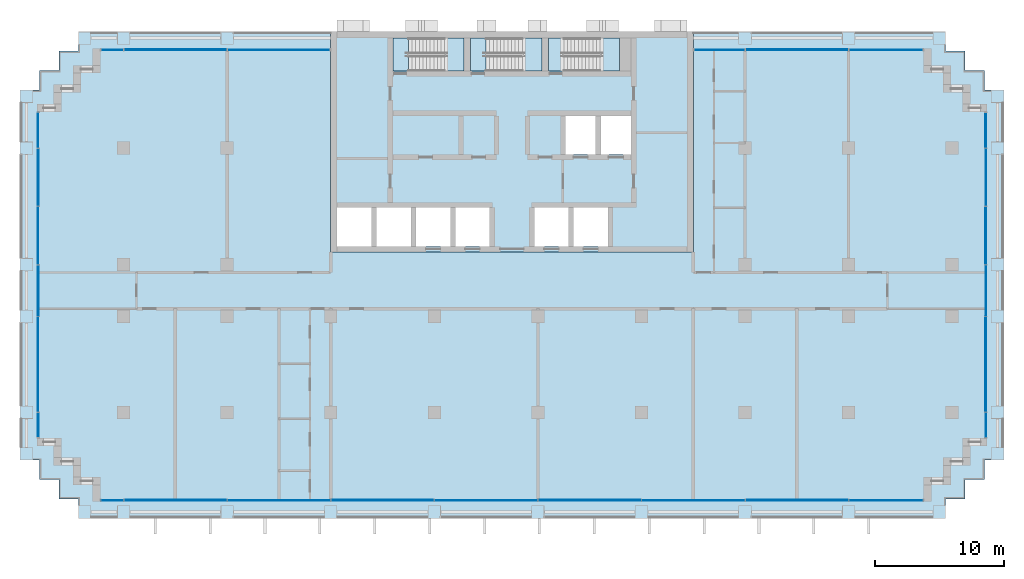
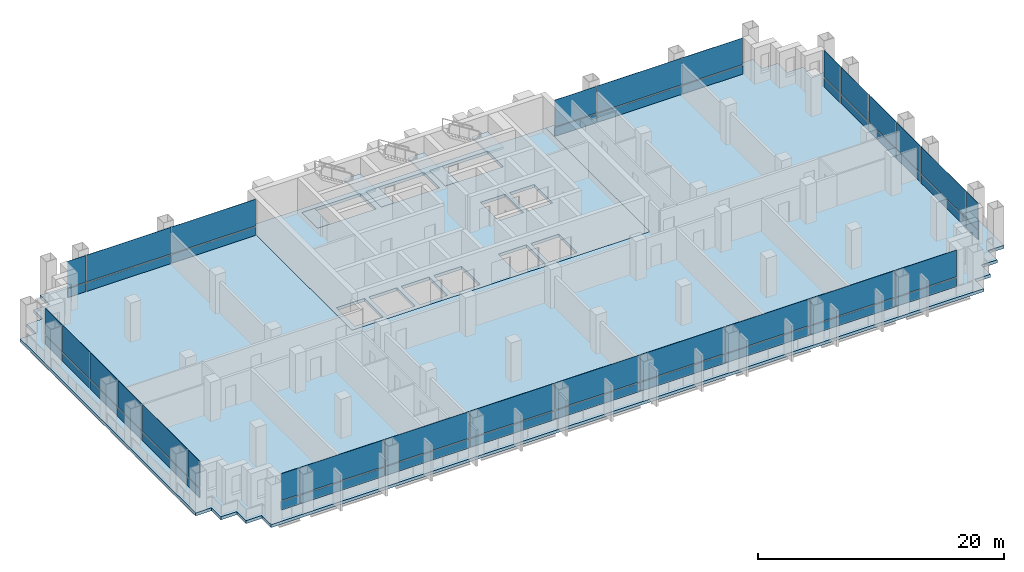
# One storey, part 6 of 13: 54 plates, 8 slabs, 8 elements without a shape of their own.
"""IFC4 building model written with IfcOpenShell, lengths in metres."""

from ifc_helpers import new_model, si_unit, direction, frame, origin, origin_2d, place, context, subcontext, project, spatial, polyline, rectangle, outline, extrude, material, layer, layer_set, type_object, element, aggregate, save


model = new_model("IFC4")

# Units and contexts
model_context = context("Model", 3, precision=1e-05, world=origin(), true_north=direction((0.0, 1.0)))
body_context = subcontext(model_context, "Body", "Model", "MODEL_VIEW")
ifc_project = project(units=[si_unit("LENGTHUNIT", "METRE"), si_unit("AREAUNIT", "SQUARE_METRE"), si_unit("VOLUMEUNIT", "CUBIC_METRE"), si_unit("PLANEANGLEUNIT", "RADIAN"), si_unit("MASSUNIT", "GRAM", prefix="KILO")], contexts=[model_context])

# Site, building, storey
site_placement = place(None, origin())
site = spatial("IfcSite", under=ifc_project, at=site_placement, CompositionType="ELEMENT")
building_placement = place(site_placement, origin())
building = spatial("IfcBuilding", under=site, at=building_placement, Name="Vidyagriha Tower", CompositionType="ELEMENT")
storey_placement = place(building_placement, frame((0.0, 0.0, 29.89990234375)))
storey = spatial("IfcBuildingStorey", under=building, at=storey_placement, Name="L07", CompositionType="ELEMENT", Elevation=29.89990234375)

# Curtain wall, plates
ifc_material_1 = material(Name="Aluminium and glass curtain wall", Category="aluminium")
curtain_wall_type = type_object("IfcCurtainWallType", Name="Classroom skin unitised curtain wall", PredefinedType="USERDEFINED", material=ifc_material_1)
curtain_wall_1_placement = place(storey_placement, origin())
curtain_wall_1 = element("IfcCurtainWall", 1, at=curtain_wall_1_placement, inside=storey, type_object=curtain_wall_type, Name="CW2 classroom skin", ObjectType="UNITISED", PredefinedType="USERDEFINED")
ifc_material_2 = material(Name="Glass dark ceramic-fritted spandrel", Category="glass")
ifc_layer_1 = layer(ifc_material_2, 0.0400390625)
ifc_layer_set_1 = layer_set([ifc_layer_1], Name="Glass dark ceramic-fritted spandrel")
plate_type_1 = type_object("IfcPlateType", Name="Ceramic-fritted spandrel panel", PredefinedType="CURTAIN_PANEL", material=ifc_layer_set_1)
plate_1_placement = place(storey_placement, frame((28.882568359375, 18.60009765625, 0.0), z_axis=(0.0, 0.0, 1.0), x_axis=(-1.0, 0.0, 0.0)))
plate_1 = element("IfcPlate", 2, at=plate_1_placement, type_object=plate_type_1, Name="CW2 panel 1.1", PredefinedType="CURTAIN_PANEL", context=body_context, shape_type="SweptSolid", body=[
    extrude(rectangle(XDim=5.695068359375, YDim=0.0400390625, at=origin_2d()), origin(), (0.0, 0.0, 1.0), 0.85009765625),
])
plate_2_placement = place(storey_placement, frame((16.017578125, 18.60009765625, 0.0), z_axis=(0.0, 0.0, 1.0), x_axis=(-1.0, 0.0, 0.0)))
plate_2 = element("IfcPlate", 3, at=plate_2_placement, type_object=plate_type_1, Name="CW2 panel 3.1", PredefinedType="CURTAIN_PANEL", context=body_context, shape_type="SweptSolid", body=[
    extrude(rectangle(XDim=3.89501953125, YDim=0.0400390625, at=origin_2d()), origin(), (0.0, 0.0, 1.0), 0.85009765625),
])

curtain_wall_2_placement = place(storey_placement, origin())
curtain_wall_2 = element("IfcCurtainWall", 4, at=curtain_wall_2_placement, inside=storey, type_object=curtain_wall_type, Name="CW2 classroom skin", ObjectType="UNITISED", PredefinedType="USERDEFINED")
plate_3_placement = place(storey_placement, frame((-18.017578125, 18.60009765625, 0.0), z_axis=(0.0, 0.0, 1.0), x_axis=(-1.0, 0.0, 0.0)))
plate_3 = element("IfcPlate", 5, at=plate_3_placement, type_object=plate_type_1, Name="CW2 panel 1.1", PredefinedType="CURTAIN_PANEL", context=body_context, shape_type="SweptSolid", body=[
    extrude(rectangle(XDim=7.89501953125, YDim=0.0400390625, at=origin_2d()), origin(), (0.0, 0.0, 1.0), 0.85009765625),
])
plate_4_placement = place(storey_placement, frame((-30.882568359375, 18.60009765625, 0.0), z_axis=(0.0, 0.0, 1.0), x_axis=(-1.0, 0.0, 0.0)))
plate_4 = element("IfcPlate", 6, at=plate_4_placement, type_object=plate_type_1, Name="CW2 panel 3.1", PredefinedType="CURTAIN_PANEL", context=body_context, shape_type="SweptSolid", body=[
    extrude(rectangle(XDim=1.695068359375, YDim=0.0400390625, at=origin_2d()), origin(), (0.0, 0.0, 1.0), 0.85009765625),
])

curtain_wall_3_placement = place(storey_placement, origin())
curtain_wall_3 = element("IfcCurtainWall", 7, at=curtain_wall_3_placement, inside=storey, type_object=curtain_wall_type, Name="CW2 classroom skin", ObjectType="UNITISED", PredefinedType="USERDEFINED")
plate_5_placement = place(storey_placement, frame((-36.60009765625, 12.382568359375, 0.0), z_axis=(0.0, 0.0, 1.0), x_axis=(0.0, -1.0, 0.0)))
plate_5 = element("IfcPlate", 8, at=plate_5_placement, type_object=plate_type_1, Name="CW2 panel 1.1", PredefinedType="CURTAIN_PANEL", context=body_context, shape_type="SweptSolid", body=[
    extrude(rectangle(XDim=2.695068359375, YDim=0.0400390625, at=origin_2d()), origin(), (0.0, 0.0, 1.0), 0.85009765625),
])
plate_6_placement = place(storey_placement, frame((-36.60009765625, 4.25, 0.0), z_axis=(0.0, 0.0, 1.0), x_axis=(0.0, -1.0, 0.0)))
plate_6 = element("IfcPlate", 9, at=plate_6_placement, type_object=plate_type_1, Name="CW2 panel 3.1", PredefinedType="CURTAIN_PANEL", context=body_context, shape_type="SweptSolid", body=[
    extrude(rectangle(XDim=4.429931640625, YDim=0.0400390625, at=origin_2d()), origin(), (0.0, 0.0, 1.0), 0.85009765625),
])
plate_7_placement = place(storey_placement, frame((-36.60009765625, -5.699951171875, 0.0), z_axis=(0.0, 0.0, 1.0), x_axis=(0.0, -1.0, 0.0)))
plate_7 = element("IfcPlate", 10, at=plate_7_placement, type_object=plate_type_1, Name="CW2 panel 5.1", PredefinedType="CURTAIN_PANEL", context=body_context, shape_type="SweptSolid", body=[
    extrude(rectangle(XDim=7.330078125, YDim=0.0400390625, at=origin_2d()), origin(), (0.0, 0.0, 1.0), 0.85009765625),
])

curtain_wall_4_placement = place(storey_placement, origin())
curtain_wall_4 = element("IfcCurtainWall", 11, at=curtain_wall_4_placement, inside=storey, type_object=curtain_wall_type, Name="CW2 classroom skin", ObjectType="UNITISED", PredefinedType="USERDEFINED")
plate_8_placement = place(storey_placement, frame((-30.882568359375, -16.199951171875, 0.0)))
plate_8 = element("IfcPlate", 12, at=plate_8_placement, type_object=plate_type_1, Name="CW2 panel 1.1", PredefinedType="CURTAIN_PANEL", context=body_context, shape_type="SweptSolid", body=[
    extrude(rectangle(XDim=1.695068359375, YDim=0.0400390625, at=origin_2d()), origin(), (0.0, 0.0, 1.0), 0.85009765625),
])
plate_9_placement = place(storey_placement, frame((-18.0, -16.199951171875, 0.0)))
plate_9 = element("IfcPlate", 13, at=plate_9_placement, type_object=plate_type_1, Name="CW2 panel 3.1", PredefinedType="CURTAIN_PANEL", context=body_context, shape_type="SweptSolid", body=[
    extrude(rectangle(XDim=7.929931640625, YDim=0.0400390625, at=origin_2d()), origin(), (0.0, 0.0, 1.0), 0.85009765625),
])
plate_10_placement = place(storey_placement, frame((-2.0, -16.199951171875, 0.0)))
plate_10 = element("IfcPlate", 14, at=plate_10_placement, type_object=plate_type_1, Name="CW2 panel 5.1", PredefinedType="CURTAIN_PANEL", context=body_context, shape_type="SweptSolid", body=[
    extrude(rectangle(XDim=7.929931640625, YDim=0.0400390625, at=origin_2d()), origin(), (0.0, 0.0, 1.0), 0.85009765625),
])
plate_11_placement = place(storey_placement, frame((14.0, -16.199951171875, 0.0)))
plate_11 = element("IfcPlate", 15, at=plate_11_placement, type_object=plate_type_1, Name="CW2 panel 7.1", PredefinedType="CURTAIN_PANEL", context=body_context, shape_type="SweptSolid", body=[
    extrude(rectangle(XDim=7.929931640625, YDim=0.0400390625, at=origin_2d()), origin(), (0.0, 0.0, 1.0), 0.85009765625),
])
plate_12_placement = place(storey_placement, frame((28.882568359375, -16.199951171875, 0.0)))
plate_12 = element("IfcPlate", 16, at=plate_12_placement, type_object=plate_type_1, Name="CW2 panel 9.1", PredefinedType="CURTAIN_PANEL", context=body_context, shape_type="SweptSolid", body=[
    extrude(rectangle(XDim=5.695068359375, YDim=0.0400390625, at=origin_2d()), origin(), (0.0, 0.0, 1.0), 0.85009765625),
])

curtain_wall_5_placement = place(storey_placement, origin())
curtain_wall_5 = element("IfcCurtainWall", 17, at=curtain_wall_5_placement, inside=storey, type_object=curtain_wall_type, Name="CW2 classroom skin", ObjectType="UNITISED", PredefinedType="USERDEFINED")
plate_13_placement = place(storey_placement, frame((36.60009765625, -10.382568359375, 0.0), z_axis=(0.0, 0.0, 1.0), x_axis=(0.0, 1.0, 0.0)))
plate_13 = element("IfcPlate", 18, at=plate_13_placement, type_object=plate_type_1, Name="CW2 panel 1.1", PredefinedType="CURTAIN_PANEL", context=body_context, shape_type="SweptSolid", body=[
    extrude(rectangle(XDim=1.89501953125, YDim=0.0400390625, at=origin_2d()), origin(), (0.0, 0.0, 1.0), 0.85009765625),
])
plate_14_placement = place(storey_placement, frame((36.60009765625, 0.0, 0.0), z_axis=(0.0, 0.0, 1.0), x_axis=(0.0, 1.0, 0.0)))
plate_14 = element("IfcPlate", 19, at=plate_14_placement, type_object=plate_type_1, Name="CW2 panel 3.1", PredefinedType="CURTAIN_PANEL", context=body_context, shape_type="SweptSolid", body=[
    extrude(rectangle(XDim=3.929931640625, YDim=0.0400390625, at=origin_2d()), origin(), (0.0, 0.0, 1.0), 0.85009765625),
])
plate_15_placement = place(storey_placement, frame((36.60009765625, 8.75, 0.0), z_axis=(0.0, 0.0, 1.0), x_axis=(0.0, 1.0, 0.0)))
plate_15 = element("IfcPlate", 20, at=plate_15_placement, type_object=plate_type_1, Name="CW2 panel 5.1", PredefinedType="CURTAIN_PANEL", context=body_context, shape_type="SweptSolid", body=[
    extrude(rectangle(XDim=4.429931640625, YDim=0.0400390625, at=origin_2d()), origin(), (0.0, 0.0, 1.0), 0.85009765625),
])

# Slab
ifc_material_3 = material(Name="Concrete C60/75", Category="concrete")
ifc_layer_2 = layer(ifc_material_3, 0.300048828125)
ifc_layer_set_2 = layer_set([ifc_layer_2], Name="Concrete C60/75")
slab_type_1 = type_object("IfcSlabType", Name="Core floor slab 300 mm", PredefinedType="FLOOR", material=ifc_layer_set_2)
slab_1_placement = place(storey_placement, frame((0.0, 0.0, -0.2998046875)))
element("IfcSlab", 21, at=slab_1_placement, inside=storey, type_object=slab_type_1, Name="L07 core floor 1", PredefinedType="FLOOR", context=body_context, shape_type="SweptSolid", body=[
    extrude(outline(polyline([(-14.0, 3.0), (-14.0, 20.0), (14.0, 20.0), (14.0, 3.0), (-14.0, 3.0)]), holes=[polyline([(9.199951171875, 13.5), (6.86669921875, 13.5), (6.86669921875, 10.5), (9.199951171875, 10.5), (9.199951171875, 13.5)]), polyline([(4.0, 19.5), (2.800048828125, 19.5), (2.800048828125, 16.949951171875), (4.0, 16.949951171875), (8.300048828125, 16.949951171875), (8.300048828125, 19.5), (4.0, 19.5)]), polyline([(7.4111328125, 6.39990234375), (4.7666015625, 6.39990234375), (4.7666015625, 3.39990234375), (7.4111328125, 3.39990234375), (7.4111328125, 6.39990234375)]), polyline([(6.466796875, 13.5), (4.13330078125, 13.5), (4.13330078125, 10.5), (6.466796875, 10.5), (6.466796875, 13.5)]), polyline([(1.72216796875, 6.39990234375), (1.72216796875, 3.39990234375), (4.36669921875, 3.39990234375), (4.36669921875, 6.39990234375), (1.72216796875, 6.39990234375)]), polyline([(-2.0, 16.949951171875), (2.300048828125, 16.949951171875), (2.300048828125, 19.5), (-2.0, 19.5), (-3.199951171875, 19.5), (-3.199951171875, 16.949951171875), (-2.0, 16.949951171875)]), polyline([(-1.72216796875, 6.39990234375), (-4.36669921875, 6.39990234375), (-4.36669921875, 3.39990234375), (-1.72216796875, 3.39990234375), (-1.72216796875, 6.39990234375)]), polyline([(-8.0, 19.5), (-9.199951171875, 19.5), (-9.199951171875, 16.949951171875), (-8.0, 16.949951171875), (-3.699951171875, 16.949951171875), (-3.699951171875, 19.5), (-8.0, 19.5)]), polyline([(-4.7666015625, 6.39990234375), (-7.4111328125, 6.39990234375), (-7.4111328125, 3.39990234375), (-4.7666015625, 3.39990234375), (-4.7666015625, 6.39990234375)]), polyline([(-7.81103515625, 6.39990234375), (-10.45556640625, 6.39990234375), (-10.45556640625, 3.39990234375), (-7.81103515625, 3.39990234375), (-7.81103515625, 6.39990234375)]), polyline([(-13.5, 6.39990234375), (-13.5, 3.39990234375), (-10.855712890625, 3.39990234375), (-10.855712890625, 6.39990234375), (-13.5, 6.39990234375)])]), origin(), (0.0, 0.0, 1.0), 0.2998046875),
])

# Plate
ifc_material_4 = material(Name="Glass dark ceramic-fritted", Category="glass")
ifc_layer_3 = layer(ifc_material_4, 0.028076171875)
ifc_layer_set_3 = layer_set([ifc_layer_3], Name="Glass dark ceramic-fritted")
plate_type_2 = type_object("IfcPlateType", Name="Dark ceramic-fritted vision glass panel", PredefinedType="CURTAIN_PANEL", material=ifc_layer_set_3)
plate_16_placement = place(storey_placement, frame((28.882568359375, 18.60009765625, 0.9501953125), z_axis=(0.0, 0.0, 1.0), x_axis=(-1.0, 0.0, 0.0)))
plate_16 = element("IfcPlate", 22, at=plate_16_placement, type_object=plate_type_2, Name="CW2 panel 1.2", PredefinedType="CURTAIN_PANEL", context=body_context, shape_type="SweptSolid", body=[
    extrude(rectangle(XDim=5.695068359375, YDim=0.028076171875, at=origin_2d()), origin(), (0.0, 0.0, 1.0), 2.64990234375),
])

plate_17_placement = place(storey_placement, frame((22.0, 18.60009765625, 0.9501953125), z_axis=(0.0, 0.0, 1.0), x_axis=(-1.0, 0.0, 0.0)))
plate_17 = element("IfcPlate", 23, at=plate_17_placement, type_object=plate_type_2, Name="CW2 panel 2.2", PredefinedType="CURTAIN_PANEL", context=body_context, shape_type="SweptSolid", body=[
    extrude(rectangle(XDim=7.929931640625, YDim=0.028076171875, at=origin_2d()), origin(), (0.0, 0.0, 1.0), 2.64990234375),
])

plate_18_placement = place(storey_placement, frame((16.017578125, 18.60009765625, 0.9501953125), z_axis=(0.0, 0.0, 1.0), x_axis=(-1.0, 0.0, 0.0)))
plate_18 = element("IfcPlate", 24, at=plate_18_placement, type_object=plate_type_2, Name="CW2 panel 3.2", PredefinedType="CURTAIN_PANEL", context=body_context, shape_type="SweptSolid", body=[
    extrude(rectangle(XDim=3.89501953125, YDim=0.028076171875, at=origin_2d()), origin(), (0.0, 0.0, 1.0), 2.64990234375),
])

plate_19_placement = place(storey_placement, frame((-18.017578125, 18.60009765625, 0.9501953125), z_axis=(0.0, 0.0, 1.0), x_axis=(-1.0, 0.0, 0.0)))
plate_19 = element("IfcPlate", 25, at=plate_19_placement, type_object=plate_type_2, Name="CW2 panel 1.2", PredefinedType="CURTAIN_PANEL", context=body_context, shape_type="SweptSolid", body=[
    extrude(rectangle(XDim=7.89501953125, YDim=0.028076171875, at=origin_2d()), origin(), (0.0, 0.0, 1.0), 2.64990234375),
])

plate_20_placement = place(storey_placement, frame((-26.0, 18.60009765625, 0.9501953125), z_axis=(0.0, 0.0, 1.0), x_axis=(-1.0, 0.0, 0.0)))
plate_20 = element("IfcPlate", 26, at=plate_20_placement, type_object=plate_type_2, Name="CW2 panel 2.2", PredefinedType="CURTAIN_PANEL", context=body_context, shape_type="SweptSolid", body=[
    extrude(rectangle(XDim=7.929931640625, YDim=0.028076171875, at=origin_2d()), origin(), (0.0, 0.0, 1.0), 2.64990234375),
])

plate_21_placement = place(storey_placement, frame((-30.882568359375, 18.60009765625, 0.9501953125), z_axis=(0.0, 0.0, 1.0), x_axis=(-1.0, 0.0, 0.0)))
plate_21 = element("IfcPlate", 27, at=plate_21_placement, type_object=plate_type_2, Name="CW2 panel 3.2", PredefinedType="CURTAIN_PANEL", context=body_context, shape_type="SweptSolid", body=[
    extrude(rectangle(XDim=1.695068359375, YDim=0.028076171875, at=origin_2d()), origin(), (0.0, 0.0, 1.0), 2.64990234375),
])

plate_22_placement = place(storey_placement, frame((-36.60009765625, 12.382568359375, 0.9501953125), z_axis=(0.0, 0.0, 1.0), x_axis=(0.0, -1.0, 0.0)))
plate_22 = element("IfcPlate", 28, at=plate_22_placement, type_object=plate_type_2, Name="CW2 panel 1.2", PredefinedType="CURTAIN_PANEL", context=body_context, shape_type="SweptSolid", body=[
    extrude(rectangle(XDim=2.695068359375, YDim=0.028076171875, at=origin_2d()), origin(), (0.0, 0.0, 1.0), 2.64990234375),
])

plate_23_placement = place(storey_placement, frame((-36.60009765625, 8.75, 0.9501953125), z_axis=(0.0, 0.0, 1.0), x_axis=(0.0, -1.0, 0.0)))
plate_23 = element("IfcPlate", 29, at=plate_23_placement, type_object=plate_type_2, Name="CW2 panel 2.2", PredefinedType="CURTAIN_PANEL", context=body_context, shape_type="SweptSolid", body=[
    extrude(rectangle(XDim=4.429931640625, YDim=0.028076171875, at=origin_2d()), origin(), (0.0, 0.0, 1.0), 2.64990234375),
])

plate_24_placement = place(storey_placement, frame((-36.60009765625, 4.25, 0.9501953125), z_axis=(0.0, 0.0, 1.0), x_axis=(0.0, -1.0, 0.0)))
plate_24 = element("IfcPlate", 30, at=plate_24_placement, type_object=plate_type_2, Name="CW2 panel 3.2", PredefinedType="CURTAIN_PANEL", context=body_context, shape_type="SweptSolid", body=[
    extrude(rectangle(XDim=4.429931640625, YDim=0.028076171875, at=origin_2d()), origin(), (0.0, 0.0, 1.0), 2.64990234375),
])

plate_25_placement = place(storey_placement, frame((-36.60009765625, 0.0, 0.9501953125), z_axis=(0.0, 0.0, 1.0), x_axis=(0.0, -1.0, 0.0)))
plate_25 = element("IfcPlate", 31, at=plate_25_placement, type_object=plate_type_2, Name="CW2 panel 4.2", PredefinedType="CURTAIN_PANEL", context=body_context, shape_type="SweptSolid", body=[
    extrude(rectangle(XDim=3.929931640625, YDim=0.028076171875, at=origin_2d()), origin(), (0.0, 0.0, 1.0), 2.64990234375),
])

plate_26_placement = place(storey_placement, frame((-36.60009765625, -5.699951171875, 0.9501953125), z_axis=(0.0, 0.0, 1.0), x_axis=(0.0, -1.0, 0.0)))
plate_26 = element("IfcPlate", 32, at=plate_26_placement, type_object=plate_type_2, Name="CW2 panel 5.2", PredefinedType="CURTAIN_PANEL", context=body_context, shape_type="SweptSolid", body=[
    extrude(rectangle(XDim=7.330078125, YDim=0.028076171875, at=origin_2d()), origin(), (0.0, 0.0, 1.0), 2.64990234375),
])

plate_27_placement = place(storey_placement, frame((-36.60009765625, -10.382568359375, 0.9501953125), z_axis=(0.0, 0.0, 1.0), x_axis=(0.0, -1.0, 0.0)))
plate_27 = element("IfcPlate", 33, at=plate_27_placement, type_object=plate_type_2, Name="CW2 panel 6.2", PredefinedType="CURTAIN_PANEL", context=body_context, shape_type="SweptSolid", body=[
    extrude(rectangle(XDim=1.89501953125, YDim=0.028076171875, at=origin_2d()), origin(), (0.0, 0.0, 1.0), 2.64990234375),
])

plate_28_placement = place(storey_placement, frame((-30.882568359375, -16.199951171875, 0.9501953125)))
plate_28 = element("IfcPlate", 34, at=plate_28_placement, type_object=plate_type_2, Name="CW2 panel 1.2", PredefinedType="CURTAIN_PANEL", context=body_context, shape_type="SweptSolid", body=[
    extrude(rectangle(XDim=1.695068359375, YDim=0.028076171875, at=origin_2d()), origin(), (0.0, 0.0, 1.0), 2.64990234375),
])

plate_29_placement = place(storey_placement, frame((-26.0, -16.199951171875, 0.9501953125)))
plate_29 = element("IfcPlate", 35, at=plate_29_placement, type_object=plate_type_2, Name="CW2 panel 2.2", PredefinedType="CURTAIN_PANEL", context=body_context, shape_type="SweptSolid", body=[
    extrude(rectangle(XDim=7.929931640625, YDim=0.028076171875, at=origin_2d()), origin(), (0.0, 0.0, 1.0), 2.64990234375),
])

plate_30_placement = place(storey_placement, frame((-18.0, -16.199951171875, 0.9501953125)))
plate_30 = element("IfcPlate", 36, at=plate_30_placement, type_object=plate_type_2, Name="CW2 panel 3.2", PredefinedType="CURTAIN_PANEL", context=body_context, shape_type="SweptSolid", body=[
    extrude(rectangle(XDim=7.929931640625, YDim=0.028076171875, at=origin_2d()), origin(), (0.0, 0.0, 1.0), 2.64990234375),
])

plate_31_placement = place(storey_placement, frame((-10.0, -16.199951171875, 0.9501953125)))
plate_31 = element("IfcPlate", 37, at=plate_31_placement, type_object=plate_type_2, Name="CW2 panel 4.2", PredefinedType="CURTAIN_PANEL", context=body_context, shape_type="SweptSolid", body=[
    extrude(rectangle(XDim=7.929931640625, YDim=0.028076171875, at=origin_2d()), origin(), (0.0, 0.0, 1.0), 2.64990234375),
])

plate_32_placement = place(storey_placement, frame((-2.0, -16.199951171875, 0.9501953125)))
plate_32 = element("IfcPlate", 38, at=plate_32_placement, type_object=plate_type_2, Name="CW2 panel 5.2", PredefinedType="CURTAIN_PANEL", context=body_context, shape_type="SweptSolid", body=[
    extrude(rectangle(XDim=7.929931640625, YDim=0.028076171875, at=origin_2d()), origin(), (0.0, 0.0, 1.0), 2.64990234375),
])

plate_33_placement = place(storey_placement, frame((6.0, -16.199951171875, 0.9501953125)))
plate_33 = element("IfcPlate", 39, at=plate_33_placement, type_object=plate_type_2, Name="CW2 panel 6.2", PredefinedType="CURTAIN_PANEL", context=body_context, shape_type="SweptSolid", body=[
    extrude(rectangle(XDim=7.929931640625, YDim=0.028076171875, at=origin_2d()), origin(), (0.0, 0.0, 1.0), 2.64990234375),
])

plate_34_placement = place(storey_placement, frame((14.0, -16.199951171875, 0.9501953125)))
plate_34 = element("IfcPlate", 40, at=plate_34_placement, type_object=plate_type_2, Name="CW2 panel 7.2", PredefinedType="CURTAIN_PANEL", context=body_context, shape_type="SweptSolid", body=[
    extrude(rectangle(XDim=7.929931640625, YDim=0.028076171875, at=origin_2d()), origin(), (0.0, 0.0, 1.0), 2.64990234375),
])

plate_35_placement = place(storey_placement, frame((22.0, -16.199951171875, 0.9501953125)))
plate_35 = element("IfcPlate", 41, at=plate_35_placement, type_object=plate_type_2, Name="CW2 panel 8.2", PredefinedType="CURTAIN_PANEL", context=body_context, shape_type="SweptSolid", body=[
    extrude(rectangle(XDim=7.929931640625, YDim=0.028076171875, at=origin_2d()), origin(), (0.0, 0.0, 1.0), 2.64990234375),
])

plate_36_placement = place(storey_placement, frame((28.882568359375, -16.199951171875, 0.9501953125)))
plate_36 = element("IfcPlate", 42, at=plate_36_placement, type_object=plate_type_2, Name="CW2 panel 9.2", PredefinedType="CURTAIN_PANEL", context=body_context, shape_type="SweptSolid", body=[
    extrude(rectangle(XDim=5.695068359375, YDim=0.028076171875, at=origin_2d()), origin(), (0.0, 0.0, 1.0), 2.64990234375),
])

plate_37_placement = place(storey_placement, frame((36.60009765625, -10.382568359375, 0.9501953125), z_axis=(0.0, 0.0, 1.0), x_axis=(0.0, 1.0, 0.0)))
plate_37 = element("IfcPlate", 43, at=plate_37_placement, type_object=plate_type_2, Name="CW2 panel 1.2", PredefinedType="CURTAIN_PANEL", context=body_context, shape_type="SweptSolid", body=[
    extrude(rectangle(XDim=1.89501953125, YDim=0.028076171875, at=origin_2d()), origin(), (0.0, 0.0, 1.0), 2.64990234375),
])

plate_38_placement = place(storey_placement, frame((36.60009765625, -5.699951171875, 0.9501953125), z_axis=(0.0, 0.0, 1.0), x_axis=(0.0, 1.0, 0.0)))
plate_38 = element("IfcPlate", 44, at=plate_38_placement, type_object=plate_type_2, Name="CW2 panel 2.2", PredefinedType="CURTAIN_PANEL", context=body_context, shape_type="SweptSolid", body=[
    extrude(rectangle(XDim=7.330078125, YDim=0.028076171875, at=origin_2d()), origin(), (0.0, 0.0, 1.0), 2.64990234375),
])

plate_39_placement = place(storey_placement, frame((36.60009765625, 0.0, 0.9501953125), z_axis=(0.0, 0.0, 1.0), x_axis=(0.0, 1.0, 0.0)))
plate_39 = element("IfcPlate", 45, at=plate_39_placement, type_object=plate_type_2, Name="CW2 panel 3.2", PredefinedType="CURTAIN_PANEL", context=body_context, shape_type="SweptSolid", body=[
    extrude(rectangle(XDim=3.929931640625, YDim=0.028076171875, at=origin_2d()), origin(), (0.0, 0.0, 1.0), 2.64990234375),
])

plate_40_placement = place(storey_placement, frame((36.60009765625, 4.25, 0.9501953125), z_axis=(0.0, 0.0, 1.0), x_axis=(0.0, 1.0, 0.0)))
plate_40 = element("IfcPlate", 46, at=plate_40_placement, type_object=plate_type_2, Name="CW2 panel 4.2", PredefinedType="CURTAIN_PANEL", context=body_context, shape_type="SweptSolid", body=[
    extrude(rectangle(XDim=4.429931640625, YDim=0.028076171875, at=origin_2d()), origin(), (0.0, 0.0, 1.0), 2.64990234375),
])

plate_41_placement = place(storey_placement, frame((36.60009765625, 8.75, 0.9501953125), z_axis=(0.0, 0.0, 1.0), x_axis=(0.0, 1.0, 0.0)))
plate_41 = element("IfcPlate", 47, at=plate_41_placement, type_object=plate_type_2, Name="CW2 panel 5.2", PredefinedType="CURTAIN_PANEL", context=body_context, shape_type="SweptSolid", body=[
    extrude(rectangle(XDim=4.429931640625, YDim=0.028076171875, at=origin_2d()), origin(), (0.0, 0.0, 1.0), 2.64990234375),
])

plate_42_placement = place(storey_placement, frame((36.60009765625, 12.382568359375, 0.9501953125), z_axis=(0.0, 0.0, 1.0), x_axis=(0.0, 1.0, 0.0)))
plate_42 = element("IfcPlate", 48, at=plate_42_placement, type_object=plate_type_2, Name="CW2 panel 6.2", PredefinedType="CURTAIN_PANEL", context=body_context, shape_type="SweptSolid", body=[
    extrude(rectangle(XDim=2.695068359375, YDim=0.028076171875, at=origin_2d()), origin(), (0.0, 0.0, 1.0), 2.64990234375),
])

# Slabs
ifc_material_5 = material(Name="Concrete C40/50", Category="concrete")
ifc_layer_4 = layer(ifc_material_5, 0.300048828125)
ifc_layer_set_4 = layer_set([ifc_layer_4], Name="Concrete C40/50")
slab_type_2 = type_object("IfcSlabType", Name="Exit stair floor landing 300 mm", PredefinedType="LANDING", material=ifc_layer_set_4)
slab_2_placement = place(storey_placement, frame((0.0, 0.0, -0.2998046875)))
element("IfcSlab", 49, at=slab_2_placement, inside=storey, type_object=slab_type_2, Name="ST1 floor landing L07", PredefinedType="LANDING", context=body_context, shape_type="SweptSolid", body=[
    extrude(outline(polyline([(-9.199951171875, 16.949951171875), (-8.0, 16.949951171875), (-8.0, 19.5), (-9.199951171875, 19.5), (-9.199951171875, 16.949951171875)])), origin(), (0.0, 0.0, 1.0), 0.2998046875),
])
slab_3_placement = place(storey_placement, frame((0.0, 0.0, -0.2998046875)))
element("IfcSlab", 50, at=slab_3_placement, inside=storey, type_object=slab_type_2, Name="ST2 floor landing L07", PredefinedType="LANDING", context=body_context, shape_type="SweptSolid", body=[
    extrude(outline(polyline([(-3.199951171875, 16.949951171875), (-2.0, 16.949951171875), (-2.0, 19.5), (-3.199951171875, 19.5), (-3.199951171875, 16.949951171875)])), origin(), (0.0, 0.0, 1.0), 0.2998046875),
])
slab_4_placement = place(storey_placement, frame((0.0, 0.0, -0.2998046875)))
element("IfcSlab", 51, at=slab_4_placement, inside=storey, type_object=slab_type_2, Name="ST3 floor landing L07", PredefinedType="LANDING", context=body_context, shape_type="SweptSolid", body=[
    extrude(outline(polyline([(2.800048828125, 16.949951171875), (4.0, 16.949951171875), (4.0, 19.5), (2.800048828125, 19.5), (2.800048828125, 16.949951171875)])), origin(), (0.0, 0.0, 1.0), 0.2998046875),
])

# Stair, slab
ifc_material_6 = material(Name="Concrete C40/50", Category="concrete")
stair_type = type_object("IfcStairType", Name="Exit stair, half-turn, precast flights", PredefinedType="HALF_TURN_STAIR", material=ifc_material_6)
stair_1_placement = place(storey_placement, origin())
stair_1 = element("IfcStair", 52, at=stair_1_placement, inside=storey, type_object=stair_type, Name="L07 Exit Stair ST1", PredefinedType="HALF_TURN_STAIR")
ifc_material_7 = material(Name="Concrete C40/50", Category="concrete")
ifc_layer_5 = layer(ifc_material_7, 0.199951171875)
ifc_layer_set_5 = layer_set([ifc_layer_5], Name="Concrete C40/50")
slab_type_3 = type_object("IfcSlabType", Name="Exit stair landing 200 mm", PredefinedType="LANDING", material=ifc_layer_set_5)
slab_5_placement = place(storey_placement, frame((0.0, 0.0, 1.75)))
slab_5 = element("IfcSlab", 53, at=slab_5_placement, type_object=slab_type_3, Name="ST1 landing 1", PredefinedType="LANDING", context=body_context, shape_type="SweptSolid", body=[
    extrude(outline(polyline([(-5.199951171875, 16.949951171875), (-3.699951171875, 16.949951171875), (-3.699951171875, 19.5), (-5.199951171875, 19.5), (-5.199951171875, 16.949951171875)])), origin(), (0.0, 0.0, 1.0), 0.2001953125),
])
aggregate(stair_1, [slab_5])

stair_2_placement = place(storey_placement, origin())
stair_2 = element("IfcStair", 54, at=stair_2_placement, inside=storey, type_object=stair_type, Name="L07 Exit Stair ST2", PredefinedType="HALF_TURN_STAIR")
slab_6_placement = place(storey_placement, frame((0.0, 0.0, 1.75)))
slab_6 = element("IfcSlab", 55, at=slab_6_placement, type_object=slab_type_3, Name="ST2 landing 1", PredefinedType="LANDING", context=body_context, shape_type="SweptSolid", body=[
    extrude(outline(polyline([(0.800048828125, 16.949951171875), (2.300048828125, 16.949951171875), (2.300048828125, 19.5), (0.800048828125, 19.5), (0.800048828125, 16.949951171875)])), origin(), (0.0, 0.0, 1.0), 0.2001953125),
])
aggregate(stair_2, [slab_6])

stair_3_placement = place(storey_placement, origin())
stair_3 = element("IfcStair", 56, at=stair_3_placement, inside=storey, type_object=stair_type, Name="L07 Exit Stair ST3", PredefinedType="HALF_TURN_STAIR")
slab_7_placement = place(storey_placement, frame((0.0, 0.0, 1.75)))
slab_7 = element("IfcSlab", 57, at=slab_7_placement, type_object=slab_type_3, Name="ST3 landing 1", PredefinedType="LANDING", context=body_context, shape_type="SweptSolid", body=[
    extrude(outline(polyline([(6.800048828125, 16.949951171875), (8.300048828125, 16.949951171875), (8.300048828125, 19.5), (6.800048828125, 19.5), (6.800048828125, 16.949951171875)])), origin(), (0.0, 0.0, 1.0), 0.2001953125),
])
aggregate(stair_3, [slab_7])

# Plate
ifc_material_8 = material(Name="Aluminium black anodised", Category="aluminium")
ifc_layer_6 = layer(ifc_material_8, 0.06005859375)
ifc_layer_set_6 = layer_set([ifc_layer_6], Name="Aluminium black anodised")
plate_type_3 = type_object("IfcPlateType", Name="Operable black-metal vent panel", PredefinedType="CURTAIN_PANEL", material=ifc_layer_set_6)
plate_43_placement = place(storey_placement, frame((22.0, 18.60009765625, 0.0), z_axis=(0.0, 0.0, 1.0), x_axis=(-1.0, 0.0, 0.0)))
plate_43 = element("IfcPlate", 58, at=plate_43_placement, type_object=plate_type_3, Name="CW2 panel 2.1", PredefinedType="CURTAIN_PANEL", context=body_context, shape_type="SweptSolid", body=[
    extrude(rectangle(XDim=7.929931640625, YDim=0.06005859375, at=origin_2d()), origin(), (0.0, 0.0, 1.0), 0.85009765625),
])

aggregate(curtain_wall_1, [plate_1, plate_16, plate_43, plate_17, plate_2, plate_18])

plate_44_placement = place(storey_placement, frame((-26.0, 18.60009765625, 0.0), z_axis=(0.0, 0.0, 1.0), x_axis=(-1.0, 0.0, 0.0)))
plate_44 = element("IfcPlate", 59, at=plate_44_placement, type_object=plate_type_3, Name="CW2 panel 2.1", PredefinedType="CURTAIN_PANEL", context=body_context, shape_type="SweptSolid", body=[
    extrude(rectangle(XDim=7.929931640625, YDim=0.06005859375, at=origin_2d()), origin(), (0.0, 0.0, 1.0), 0.85009765625),
])

aggregate(curtain_wall_2, [plate_3, plate_19, plate_44, plate_20, plate_4, plate_21])

plate_45_placement = place(storey_placement, frame((-36.60009765625, 8.75, 0.0), z_axis=(0.0, 0.0, 1.0), x_axis=(0.0, -1.0, 0.0)))
plate_45 = element("IfcPlate", 60, at=plate_45_placement, type_object=plate_type_3, Name="CW2 panel 2.1", PredefinedType="CURTAIN_PANEL", context=body_context, shape_type="SweptSolid", body=[
    extrude(rectangle(XDim=4.429931640625, YDim=0.06005859375, at=origin_2d()), origin(), (0.0, 0.0, 1.0), 0.85009765625),
])

plate_46_placement = place(storey_placement, frame((-36.60009765625, 0.0, 0.0), z_axis=(0.0, 0.0, 1.0), x_axis=(0.0, -1.0, 0.0)))
plate_46 = element("IfcPlate", 61, at=plate_46_placement, type_object=plate_type_3, Name="CW2 panel 4.1", PredefinedType="CURTAIN_PANEL", context=body_context, shape_type="SweptSolid", body=[
    extrude(rectangle(XDim=3.929931640625, YDim=0.06005859375, at=origin_2d()), origin(), (0.0, 0.0, 1.0), 0.85009765625),
])

plate_47_placement = place(storey_placement, frame((-36.60009765625, -10.382568359375, 0.0), z_axis=(0.0, 0.0, 1.0), x_axis=(0.0, -1.0, 0.0)))
plate_47 = element("IfcPlate", 62, at=plate_47_placement, type_object=plate_type_3, Name="CW2 panel 6.1", PredefinedType="CURTAIN_PANEL", context=body_context, shape_type="SweptSolid", body=[
    extrude(rectangle(XDim=1.89501953125, YDim=0.06005859375, at=origin_2d()), origin(), (0.0, 0.0, 1.0), 0.85009765625),
])

aggregate(curtain_wall_3, [plate_5, plate_22, plate_45, plate_23, plate_6, plate_24, plate_46, plate_25, plate_7, plate_26, plate_47, plate_27])

plate_48_placement = place(storey_placement, frame((-26.0, -16.199951171875, 0.0)))
plate_48 = element("IfcPlate", 63, at=plate_48_placement, type_object=plate_type_3, Name="CW2 panel 2.1", PredefinedType="CURTAIN_PANEL", context=body_context, shape_type="SweptSolid", body=[
    extrude(rectangle(XDim=7.929931640625, YDim=0.06005859375, at=origin_2d()), origin(), (0.0, 0.0, 1.0), 0.85009765625),
])

plate_49_placement = place(storey_placement, frame((-10.0, -16.199951171875, 0.0)))
plate_49 = element("IfcPlate", 64, at=plate_49_placement, type_object=plate_type_3, Name="CW2 panel 4.1", PredefinedType="CURTAIN_PANEL", context=body_context, shape_type="SweptSolid", body=[
    extrude(rectangle(XDim=7.929931640625, YDim=0.06005859375, at=origin_2d()), origin(), (0.0, 0.0, 1.0), 0.85009765625),
])

plate_50_placement = place(storey_placement, frame((6.0, -16.199951171875, 0.0)))
plate_50 = element("IfcPlate", 65, at=plate_50_placement, type_object=plate_type_3, Name="CW2 panel 6.1", PredefinedType="CURTAIN_PANEL", context=body_context, shape_type="SweptSolid", body=[
    extrude(rectangle(XDim=7.929931640625, YDim=0.06005859375, at=origin_2d()), origin(), (0.0, 0.0, 1.0), 0.85009765625),
])

plate_51_placement = place(storey_placement, frame((22.0, -16.199951171875, 0.0)))
plate_51 = element("IfcPlate", 66, at=plate_51_placement, type_object=plate_type_3, Name="CW2 panel 8.1", PredefinedType="CURTAIN_PANEL", context=body_context, shape_type="SweptSolid", body=[
    extrude(rectangle(XDim=7.929931640625, YDim=0.06005859375, at=origin_2d()), origin(), (0.0, 0.0, 1.0), 0.85009765625),
])

aggregate(curtain_wall_4, [plate_8, plate_28, plate_48, plate_29, plate_9, plate_30, plate_49, plate_31, plate_10, plate_32, plate_50, plate_33, plate_11, plate_34, plate_51, plate_35, plate_12, plate_36])

plate_52_placement = place(storey_placement, frame((36.60009765625, -5.699951171875, 0.0), z_axis=(0.0, 0.0, 1.0), x_axis=(0.0, 1.0, 0.0)))
plate_52 = element("IfcPlate", 67, at=plate_52_placement, type_object=plate_type_3, Name="CW2 panel 2.1", PredefinedType="CURTAIN_PANEL", context=body_context, shape_type="SweptSolid", body=[
    extrude(rectangle(XDim=7.330078125, YDim=0.06005859375, at=origin_2d()), origin(), (0.0, 0.0, 1.0), 0.85009765625),
])

plate_53_placement = place(storey_placement, frame((36.60009765625, 4.25, 0.0), z_axis=(0.0, 0.0, 1.0), x_axis=(0.0, 1.0, 0.0)))
plate_53 = element("IfcPlate", 68, at=plate_53_placement, type_object=plate_type_3, Name="CW2 panel 4.1", PredefinedType="CURTAIN_PANEL", context=body_context, shape_type="SweptSolid", body=[
    extrude(rectangle(XDim=4.429931640625, YDim=0.06005859375, at=origin_2d()), origin(), (0.0, 0.0, 1.0), 0.85009765625),
])

plate_54_placement = place(storey_placement, frame((36.60009765625, 12.382568359375, 0.0), z_axis=(0.0, 0.0, 1.0), x_axis=(0.0, 1.0, 0.0)))
plate_54 = element("IfcPlate", 69, at=plate_54_placement, type_object=plate_type_3, Name="CW2 panel 6.1", PredefinedType="CURTAIN_PANEL", context=body_context, shape_type="SweptSolid", body=[
    extrude(rectangle(XDim=2.695068359375, YDim=0.06005859375, at=origin_2d()), origin(), (0.0, 0.0, 1.0), 0.85009765625),
])

aggregate(curtain_wall_5, [plate_13, plate_37, plate_52, plate_38, plate_14, plate_39, plate_53, plate_40, plate_15, plate_41, plate_54, plate_42])

# Slab
ifc_material_9 = material(Name="Concrete C50/60", Category="concrete")
ifc_layer_7 = layer(ifc_material_9, 0.300048828125)
ifc_layer_set_7 = layer_set([ifc_layer_7], Name="Concrete C50/60")
slab_type_4 = type_object("IfcSlabType", Name="Post-tensioned flat plate 300", PredefinedType="FLOOR", material=ifc_layer_set_7)
slab_8_placement = place(storey_placement, frame((0.0, 0.0, -0.2998046875)))
element("IfcSlab", 70, at=slab_8_placement, inside=storey, type_object=slab_type_4, Name="st-slab-L07-1", PredefinedType="FLOOR", context=body_context, shape_type="SweptSolid", body=[
    extrude(outline(polyline([(36.5, -13.10009765625), (36.5, -14.60009765625), (35.0, -14.60009765625), (35.0, -16.10009765625), (33.5, -16.10009765625), (33.5, -17.60009765625), (-33.5, -17.60009765625), (-33.5, -16.10009765625), (-35.0, -16.10009765625), (-35.0, -14.60009765625), (-36.5, -14.60009765625), (-36.5, -13.10009765625), (-38.0, -13.10009765625), (-38.0, 15.5), (-36.5, 15.5), (-36.5, 17.0), (-35.0, 17.0), (-35.0, 18.5), (-33.5, 18.5), (-33.5, 20.0), (-14.0, 20.0), (-14.0, 3.0), (14.0, 3.0), (14.0, 20.0), (33.5, 20.0), (33.5, 18.5), (35.0, 18.5), (35.0, 17.0), (36.5, 17.0), (36.5, 15.5), (38.0, 15.5), (38.0, -13.10009765625), (36.5, -13.10009765625)])), origin(), (0.0, 0.0, 1.0), 0.2998046875),
])

save(model, "model.ifc")
